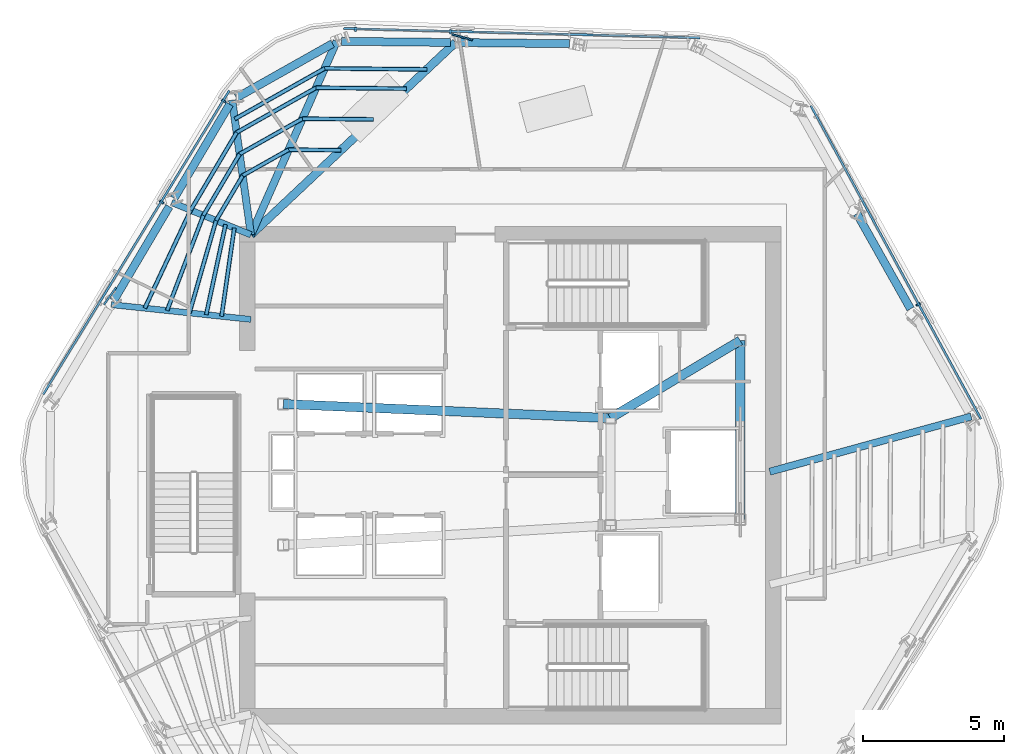
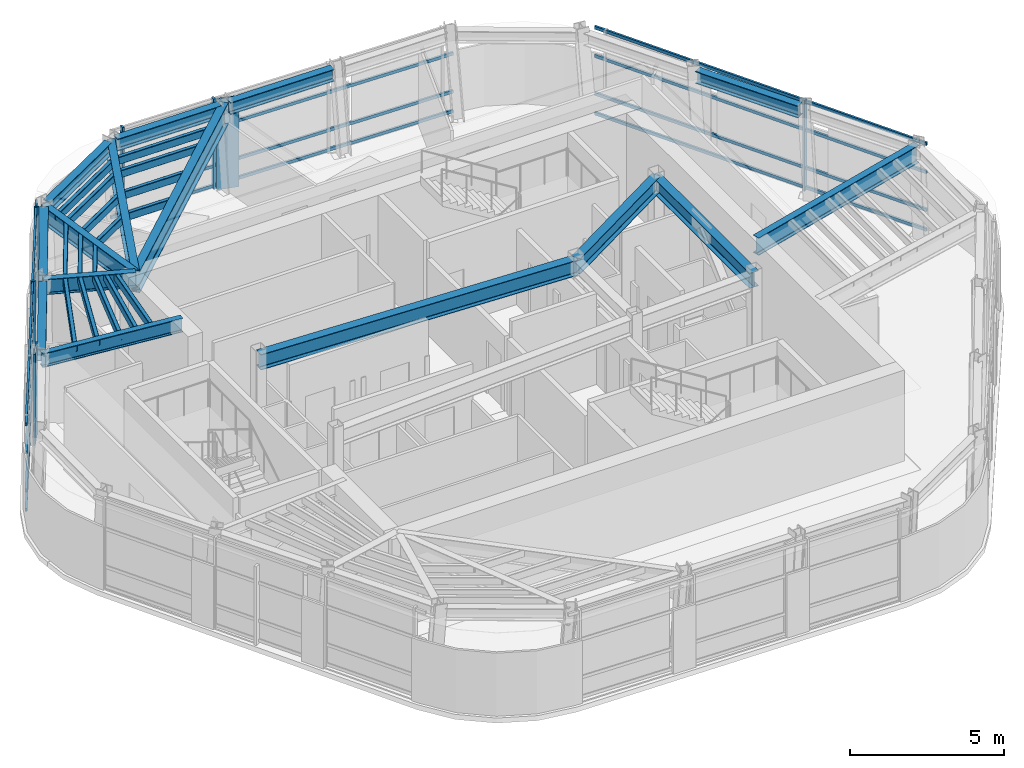
# One storey, part 4 of 13: 34 members, 15 beams, 3 elements without a shape of their own.
"""IFC4 building model written with IfcOpenShell, lengths in metres."""

from ifc_helpers import new_model, si_unit, direction, frame, origin, origin_2d, place, context, subcontext, project, spatial, rectangle, hollow_rectangle, i_section, extrude, material, layer, layer_set, material_profile, profile_set, type_object, element, aggregate, save


model = new_model("IFC4")

# Units and contexts
model_context = context("Model", 3, precision=1e-05, world=origin(), true_north=direction((0.0, 1.0)))
body_context = subcontext(model_context, "Body", "Model", "MODEL_VIEW")
ifc_project = project(units=[si_unit("LENGTHUNIT", "METRE"), si_unit("AREAUNIT", "SQUARE_METRE"), si_unit("VOLUMEUNIT", "CUBIC_METRE"), si_unit("PLANEANGLEUNIT", "RADIAN"), si_unit("MASSUNIT", "GRAM", prefix="KILO")], contexts=[model_context])

# Site, building, storey
site_placement = place(None, origin())
site = spatial("IfcSite", under=ifc_project, at=site_placement, CompositionType="ELEMENT")
building_placement = place(site_placement, origin())
building = spatial("IfcBuilding", under=site, at=building_placement, Name="Valkerne Bourse Tower", CompositionType="ELEMENT")
storey_placement = place(building_placement, frame((0.0, 0.0, 277.39990234375)))
storey = spatial("IfcBuildingStorey", under=building, at=storey_placement, Name="L70", CompositionType="ELEMENT", Elevation=277.39990234375)

# Beams
ifc_material_1 = material(Name="Steel ASTM A992", Category="steel")
ifc_material_profile_1 = material_profile(ifc_material_1, i_section(OverallWidth=0.284423828125, OverallDepth=0.47509765625, WebThickness=0.014892578125, FlangeThickness=0.02392578125, FilletRadius=0.017822265625, at=origin_2d()), Name="W18X106")
ifc_profile_set_1 = profile_set([ifc_material_profile_1], Name="Steel ASTM A992")
beam_type_1 = type_object("IfcBeamType", Name="BM-W18X106", PredefinedType="BEAM", material=ifc_profile_set_1)
for number, where, z_axis, x_axis, name in (
    (1, (48.89501953125, 42.177734375, 3.362548828125), (-0.999945222918, 0.01046666921, 0.0), (-0.01046666921, -0.999945222918, 0.0), "L70 Hexagonal Spandrel Ring Beam 01"),
    (2, (44.683349609375, 42.2216796875, 3.362548828125), (-0.999945222918, 0.01046666921, 0.0), (-0.01046666921, -0.999945222918, 0.0), "L70 Hexagonal Spandrel Ring Beam 02"),
):
    element("IfcBeam", number, at=place(storey_placement, frame(where, z_axis=z_axis, x_axis=x_axis)), inside=storey, type_object=beam_type_1, Name=name, PredefinedType="BEAM", context=body_context, shape_type="SweptSolid", body=[
        extrude(i_section(OverallWidth=0.284423828125, OverallDepth=0.47509765625, WebThickness=0.014892578125, FlangeThickness=0.02392578125, FilletRadius=0.017822265625, at=origin_2d()), origin(), (0.0, 0.0, 1.0), 3.8720703125),
    ])
beam_1_placement = place(storey_placement, frame((40.493408203125, 42.1806640625, 3.362548828125), z_axis=(-0.871223967143, -0.490885729143, 0.0), x_axis=(0.490885729143, -0.871223967143, 0.0)))
element("IfcBeam", 3, at=beam_1_placement, inside=storey, type_object=beam_type_1, Name="L70 Hexagonal Spandrel Ring Beam 03", PredefinedType="BEAM", context=body_context, shape_type="SweptSolid", body=[
    extrude(i_section(OverallWidth=0.284423828125, OverallDepth=0.47509765625, WebThickness=0.014892578125, FlangeThickness=0.02392578125, FilletRadius=0.017822265625, at=origin_2d()), origin(), (0.0, 0.0, 1.0), 3.91552734375),
])
beam_2_placement = place(storey_placement, frame((36.847412109375, 40.02880859375, 3.362548828125), z_axis=(-0.50905214555, -0.860735681328, 0.0), x_axis=(0.860735681328, -0.50905214555, 0.0)))
element("IfcBeam", 4, at=beam_2_placement, inside=storey, type_object=beam_type_1, Name="L70 Hexagonal Spandrel Ring Beam 04", PredefinedType="BEAM", context=body_context, shape_type="SweptSolid", body=[
    extrude(i_section(OverallWidth=0.284423828125, OverallDepth=0.47509765625, WebThickness=0.014892578125, FlangeThickness=0.02392578125, FilletRadius=0.017822265625, at=origin_2d()), origin(), (0.0, 0.0, 1.0), 3.872314453125),
])
beam_3_placement = place(storey_placement, frame((34.703369140625, 36.4033203125, 3.362548828125), z_axis=(-0.509005432949, -0.860763306158, 0.0), x_axis=(0.860763306158, -0.509005432949, 0.0)))
element("IfcBeam", 5, at=beam_3_placement, inside=storey, type_object=beam_type_1, Name="L70 Hexagonal Spandrel Ring Beam 05", PredefinedType="BEAM", context=body_context, shape_type="SweptSolid", body=[
    extrude(i_section(OverallWidth=0.284423828125, OverallDepth=0.47509765625, WebThickness=0.014892578125, FlangeThickness=0.02392578125, FilletRadius=0.017822265625, at=origin_2d()), origin(), (0.0, 0.0, 1.0), 3.8720703125),
])
beam_4_placement = place(storey_placement, frame((60.99169921875, 32.7744140625, 3.362548828125), z_axis=(-0.490880810531, 0.871226738486, 0.0), x_axis=(-0.871226738486, -0.490880810531, 0.0)))
element("IfcBeam", 6, at=beam_4_placement, inside=storey, type_object=beam_type_1, Name="L70 Hexagonal Spandrel Ring Beam 21", PredefinedType="BEAM", context=body_context, shape_type="SweptSolid", body=[
    extrude(i_section(OverallWidth=0.284423828125, OverallDepth=0.47509765625, WebThickness=0.014892578125, FlangeThickness=0.02392578125, FilletRadius=0.017822265625, at=origin_2d()), origin(), (0.0, 0.0, 1.0), 3.871826171875),
])
ifc_material_profile_2 = material_profile(ifc_material_1, i_section(OverallWidth=0.2138671875, OverallDepth=0.548583984375, WebThickness=0.0146484375, FlangeThickness=0.023681640625, FilletRadius=0.017822265625, at=origin_2d()), Name="W21X93")
ifc_profile_set_2 = profile_set([ifc_material_profile_2], Name="Steel ASTM A992")
beam_type_2 = type_object("IfcBeamType", Name="BM-W21X93", PredefinedType="BEAM", material=ifc_profile_set_2)
beam_5_placement = place(storey_placement, frame((32.645751953125, 32.924072265625, 3.32568359375), z_axis=(0.994449729472, -0.105212810781, 0.0), x_axis=(0.105212810781, 0.994449729472, 0.0)))
element("IfcBeam", 7, at=beam_5_placement, inside=storey, type_object=beam_type_2, Name="L70 Radial Composite Floor Beam 06", PredefinedType="BEAM", context=body_context, shape_type="SweptSolid", body=[
    extrude(i_section(OverallWidth=0.2138671875, OverallDepth=0.548583984375, WebThickness=0.0146484375, FlangeThickness=0.023681640625, FilletRadius=0.017822265625, at=origin_2d()), origin(), (0.0, 0.0, 1.0), 4.98193359375),
])
ifc_material_profile_3 = material_profile(ifc_material_1, i_section(OverallWidth=0.3251953125, OverallDepth=0.612060546875, WebThickness=0.0126953125, FlangeThickness=0.01904296875, FilletRadius=0.020263671875, at=origin_2d()), Name="W24X104")
ifc_profile_set_3 = profile_set([ifc_material_profile_3], Name="Steel ASTM A992")
beam_type_3 = type_object("IfcBeamType", Name="BM-W24X104", PredefinedType="BEAM", material=ifc_profile_set_3)
beam_6_placement = place(storey_placement, frame((50.35009765625, 28.89990234375, 3.2939453125), z_axis=(0.858307823492, 0.513135148019, 0.0), x_axis=(-0.513135148019, 0.858307823492, 0.0)))
element("IfcBeam", 8, at=beam_6_placement, inside=storey, type_object=beam_type_3, Name="L70 Core Frame Girder CG-NE", PredefinedType="BEAM", context=body_context, shape_type="SweptSolid", body=[
    extrude(i_section(OverallWidth=0.3251953125, OverallDepth=0.612060546875, WebThickness=0.0126953125, FlangeThickness=0.01904296875, FilletRadius=0.020263671875, at=origin_2d()), origin(), (0.0, 0.0, 1.0), 5.359130859375),
])
beam_7_placement = place(storey_placement, frame((54.949951171875, 25.300048828125, 3.2939453125), z_axis=(0.0, 1.0, 0.0), x_axis=(-1.0, 0.0, 0.0)))
element("IfcBeam", 9, at=beam_7_placement, inside=storey, type_object=beam_type_3, Name="L70 Core Frame Girder CG-EE", PredefinedType="BEAM", context=body_context, shape_type="SweptSolid", body=[
    extrude(i_section(OverallWidth=0.3251953125, OverallDepth=0.612060546875, WebThickness=0.0126953125, FlangeThickness=0.01904296875, FilletRadius=0.020263671875, at=origin_2d()), origin(), (0.0, 0.0, 1.0), 6.349853515625),
])
beam_8_placement = place(storey_placement, frame((38.75, 29.39990234375, 3.2939453125), z_axis=(0.999072354402, -0.043063101019, 0.0), x_axis=(0.043063101019, 0.999072354402, 0.0)))
element("IfcBeam", 10, at=beam_8_placement, inside=storey, type_object=beam_type_3, Name="L70 Core Frame Girder CG-NW", PredefinedType="BEAM", context=body_context, shape_type="SweptSolid", body=[
    extrude(i_section(OverallWidth=0.3251953125, OverallDepth=0.612060546875, WebThickness=0.0126953125, FlangeThickness=0.01904296875, FilletRadius=0.020263671875, at=origin_2d()), origin(), (0.0, 0.0, 1.0), 11.61083984375),
])
ifc_material_profile_4 = material_profile(ifc_material_1, i_section(OverallWidth=0.228271484375, OverallDepth=0.607177734375, WebThickness=0.01123046875, FlangeThickness=0.017333984375, FilletRadius=0.017822265625, at=origin_2d()), Name="W24X76")
ifc_profile_set_4 = profile_set([ifc_material_profile_4], Name="Steel ASTM A992")
beam_type_4 = type_object("IfcBeamType", Name="BM-W24X76", PredefinedType="JOIST", material=ifc_profile_set_4)
beam_9_placement = place(storey_placement, frame((34.789794921875, 36.549560546875, 3.296630859375), z_axis=(0.925548236997, -0.378629714883, 0.0), x_axis=(0.378629714883, 0.925548236997, 0.0)))
element("IfcBeam", 11, at=beam_9_placement, inside=storey, type_object=beam_type_4, Name="L70 Radial Composite Floor Beam 05", PredefinedType="JOIST", context=body_context, shape_type="SweptSolid", body=[
    extrude(i_section(OverallWidth=0.228271484375, OverallDepth=0.607177734375, WebThickness=0.01123046875, FlangeThickness=0.017333984375, FilletRadius=0.017822265625, at=origin_2d()), origin(), (0.0, 0.0, 1.0), 3.036376953125),
])
ifc_material_profile_5 = material_profile(ifc_material_1, i_section(OverallWidth=0.255859375, OverallDepth=0.693359375, WebThickness=0.014404296875, FlangeThickness=0.023681640625, FilletRadius=0.02294921875, at=origin_2d()), Name="W27X114")
ifc_profile_set_5 = profile_set([ifc_material_profile_5], Name="Steel ASTM A992")
beam_type_5 = type_object("IfcBeamType", Name="BM-W27X114", PredefinedType="BEAM", material=ifc_profile_set_5)
beam_10_placement = place(storey_placement, frame((36.933837890625, 40.175048828125, 3.25341796875), z_axis=(0.13818794613, -0.99040602358, 0.0), x_axis=(0.99040602358, 0.13818794613, 0.0)))
element("IfcBeam", 12, at=beam_10_placement, inside=storey, type_object=beam_type_5, Name="L70 Radial Composite Floor Beam 04", PredefinedType="BEAM", context=body_context, shape_type="SweptSolid", body=[
    extrude(i_section(OverallWidth=0.255859375, OverallDepth=0.693359375, WebThickness=0.014404296875, FlangeThickness=0.023681640625, FilletRadius=0.02294921875, at=origin_2d()), origin(), (0.0, 0.0, 1.0), 4.8212890625),
])
beam_11_placement = place(storey_placement, frame((63.142822265625, 28.956787109375, 3.25341796875), z_axis=(-0.964463465339, -0.26421624482, 0.0), x_axis=(0.26421624482, -0.964463465339, 0.0)))
element("IfcBeam", 13, at=beam_11_placement, inside=storey, type_object=beam_type_5, Name="L70 Radial Composite Floor Beam 20", PredefinedType="BEAM", context=body_context, shape_type="SweptSolid", body=[
    extrude(i_section(OverallWidth=0.255859375, OverallDepth=0.693359375, WebThickness=0.014404296875, FlangeThickness=0.023681640625, FilletRadius=0.02294921875, at=origin_2d()), origin(), (0.0, 0.0, 1.0), 7.406005859375),
])
ifc_material_profile_6 = material_profile(ifc_material_1, i_section(OverallWidth=0.26806640625, OverallDepth=0.76953125, WebThickness=0.015625, FlangeThickness=0.025390625, FilletRadius=0.025390625, at=origin_2d()), Name="W30X132")
ifc_profile_set_6 = profile_set([ifc_material_profile_6], Name="Steel ASTM A992")
beam_type_6 = type_object("IfcBeamType", Name="BM-W30X132", PredefinedType="BEAM", material=ifc_profile_set_6)
beam_12_placement = place(storey_placement, frame((40.6416015625, 42.26416015625, 3.21533203125), z_axis=(-0.405106354658, -0.91426956715, 0.0), x_axis=(0.91426956715, -0.405106354658, 0.0)))
element("IfcBeam", 14, at=beam_12_placement, inside=storey, type_object=beam_type_6, Name="L70 Radial Composite Floor Beam 03", PredefinedType="BEAM", context=body_context, shape_type="SweptSolid", body=[
    extrude(i_section(OverallWidth=0.26806640625, OverallDepth=0.76953125, WebThickness=0.015625, FlangeThickness=0.025390625, FilletRadius=0.025390625, at=origin_2d()), origin(), (0.0, 0.0, 1.0), 7.5078125),
])
ifc_material_profile_7 = material_profile(ifc_material_1, i_section(OverallWidth=0.2919921875, OverallDepth=0.8583984375, WebThickness=0.01708984375, FlangeThickness=0.031005859375, FilletRadius=0.025390625, at=origin_2d()), Name="W33X169")
ifc_profile_set_7 = profile_set([ifc_material_profile_7], Name="Steel ASTM A992")
beam_type_7 = type_object("IfcBeamType", Name="BM-W33X169", PredefinedType="BEAM", material=ifc_profile_set_7)
beam_13_placement = place(storey_placement, frame((44.853271484375, 42.219970703125, 3.1708984375), z_axis=(-0.728523151739, -0.685021180242, 0.0), x_axis=(0.685021180242, -0.728523151739, 0.0)))
element("IfcBeam", 15, at=beam_13_placement, inside=storey, type_object=beam_type_7, Name="L70 Radial Composite Floor Beam 02", PredefinedType="BEAM", context=body_context, shape_type="SweptSolid", body=[
    extrude(i_section(OverallWidth=0.2919921875, OverallDepth=0.8583984375, WebThickness=0.01708984375, FlangeThickness=0.031005859375, FilletRadius=0.025390625, at=origin_2d()), origin(), (0.0, 0.0, 1.0), 9.9560546875),
])

# Curtain wall, members
ifc_material_2 = material(Name="Aluminium AA 6063-T6", Category="aluminium")
ifc_layer = layer(ifc_material_2, 0.2451171875)
ifc_layer_set = layer_set([ifc_layer], Name="Aluminium AA 6063-T6")
curtain_wall_type = type_object("IfcCurtainWallType", Name="CW-05", PredefinedType="NOTDEFINED", material=ifc_layer_set)
curtain_wall_1_placement = place(storey_placement, origin())
curtain_wall_1 = element("IfcCurtainWall", 16, at=curtain_wall_1_placement, inside=storey, type_object=curtain_wall_type, Name="L70 Hexagonal Stick Curtain Wall Face 1", PredefinedType="NOTDEFINED")
ifc_material_profile_8 = material_profile(ifc_material_2, rectangle(XDim=0.074951171875, YDim=0.159912109375, at=origin_2d()), Name="CWM-75X160")
ifc_profile_set_8 = profile_set([ifc_material_profile_8], Name="Aluminium AA 6063-T6")
member_type_1 = type_object("IfcMemberType", Name="CW-MUL-160X75", PredefinedType="MULLION", material=ifc_profile_set_8)
member_1_placement = place(storey_placement, frame((44.681640625, 42.599609375, 0.0), z_axis=(0.0, 0.0, 1.0), x_axis=(-0.999657687956, 0.026163082979, 0.0)))
member_1 = element("IfcMember", 17, at=member_1_placement, type_object=member_type_1, Name="CW-L70-F1 Jamb Mullion 02A", PredefinedType="MULLION", context=body_context, shape_type="SweptSolid", body=[
    extrude(rectangle(XDim=0.074951171875, YDim=0.159912109375, at=origin_2d()), origin(), (0.0, 0.0, 1.0), 3.60009765625),
])
member_2_placement = place(storey_placement, frame((41.310791015625, 42.687744140625, 0.0), z_axis=(0.0, 0.0, 1.0), x_axis=(-0.999657687956, 0.026163082979, 0.0)))
member_2 = element("IfcMember", 18, at=member_2_placement, type_object=member_type_1, Name="CW-L70-F1 Jamb Mullion 02B", PredefinedType="MULLION", context=body_context, shape_type="SweptSolid", body=[
    extrude(rectangle(XDim=0.074951171875, YDim=0.159912109375, at=origin_2d()), origin(), (0.0, 0.0, 1.0), 3.60009765625),
])

curtain_wall_2_placement = place(storey_placement, origin())
curtain_wall_2 = element("IfcCurtainWall", 19, at=curtain_wall_2_placement, inside=storey, type_object=curtain_wall_type, Name="L70 Hexagonal Stick Curtain Wall Face 2", PredefinedType="NOTDEFINED")
member_3_placement = place(storey_placement, frame((36.6328125, 40.147705078125, 0.0), z_axis=(0.0, 0.0, 1.0), x_axis=(-0.522506940942, -0.852635031339, 0.0)))
member_3 = element("IfcMember", 20, at=member_3_placement, type_object=member_type_1, Name="CW-L70-F2 Jamb Mullion 00A", PredefinedType="MULLION", context=body_context, shape_type="SweptSolid", body=[
    extrude(rectangle(XDim=0.074951171875, YDim=0.159912109375, at=origin_2d()), origin(), (0.0, 0.0, 1.0), 3.60009765625),
])
member_4_placement = place(storey_placement, frame((34.431884765625, 36.556396484375, 0.0), z_axis=(0.0, 0.0, 1.0), x_axis=(-0.522489680728, -0.852645608405, 0.0)))
member_4 = element("IfcMember", 21, at=member_4_placement, type_object=member_type_1, Name="CW-L70-F2 Jamb Mullion 01A", PredefinedType="MULLION", context=body_context, shape_type="SweptSolid", body=[
    extrude(rectangle(XDim=0.074951171875, YDim=0.159912109375, at=origin_2d()), origin(), (0.0, 0.0, 1.0), 3.60009765625),
])

# Curtain wall, member
curtain_wall_3_placement = place(storey_placement, origin())
curtain_wall_3 = element("IfcCurtainWall", 22, at=curtain_wall_3_placement, inside=storey, type_object=curtain_wall_type, Name="L70 Hexagonal Stick Curtain Wall Face 6", PredefinedType="NOTDEFINED")
member_5_placement = place(storey_placement, frame((61.26025390625, 32.9326171875, 0.0), z_axis=(0.0, 0.0, 1.0), x_axis=(-0.477157876868, 0.878817592304, 0.0)))
member_5 = element("IfcMember", 23, at=member_5_placement, type_object=member_type_1, Name="CW-L70-F6 Jamb Mullion 01A", PredefinedType="MULLION", context=body_context, shape_type="SweptSolid", body=[
    extrude(rectangle(XDim=0.074951171875, YDim=0.159912109375, at=origin_2d()), origin(), (0.0, 0.0, 1.0), 3.60009765625),
])

# Member
ifc_material_profile_9 = material_profile(ifc_material_2, rectangle(XDim=0.074951171875, YDim=0.1201171875, at=origin_2d()), Name="CWT-75X120")
ifc_profile_set_9 = profile_set([ifc_material_profile_9], Name="Aluminium AA 6063-T6")
member_type_2 = type_object("IfcMemberType", Name="CW-TRN-120X75", PredefinedType="USERDEFINED", material=ifc_profile_set_9)
member_6_placement = place(storey_placement, frame((53.523193359375, 42.38818359375, 0.1201171875), z_axis=(-0.99965775943, 0.02616035188, 0.0), x_axis=(-0.02616035188, -0.99965775943, 0.0)))
member_6 = element("IfcMember", 24, at=member_6_placement, type_object=member_type_2, Name="CW-L70-F1 Continuous Face Transom 1", ObjectType="TRANSOM", PredefinedType="USERDEFINED", context=body_context, shape_type="SweptSolid", body=[
    extrude(rectangle(XDim=0.074951171875, YDim=0.1201171875, at=origin_2d()), origin(), (0.0, 0.0, 1.0), 12.63623046875),
])

member_7_placement = place(storey_placement, frame((53.523193359375, 42.38818359375, 0.900146484375), z_axis=(-0.99965775943, 0.02616035188, 0.0), x_axis=(-0.02616035188, -0.99965775943, 0.0)))
member_7 = element("IfcMember", 25, at=member_7_placement, type_object=member_type_2, Name="CW-L70-F1 Continuous Face Transom 2", ObjectType="TRANSOM", PredefinedType="USERDEFINED", context=body_context, shape_type="SweptSolid", body=[
    extrude(rectangle(XDim=0.074951171875, YDim=0.1201171875, at=origin_2d()), origin(), (0.0, 0.0, 1.0), 12.63623046875),
])

member_8_placement = place(storey_placement, frame((53.523193359375, 42.38818359375, 2.400146484375), z_axis=(-0.99965775943, 0.02616035188, 0.0), x_axis=(-0.02616035188, -0.99965775943, 0.0)))
member_8 = element("IfcMember", 26, at=member_8_placement, type_object=member_type_2, Name="CW-L70-F1 Continuous Face Transom 3", ObjectType="TRANSOM", PredefinedType="USERDEFINED", context=body_context, shape_type="SweptSolid", body=[
    extrude(rectangle(XDim=0.074951171875, YDim=0.1201171875, at=origin_2d()), origin(), (0.0, 0.0, 1.0), 12.63623046875),
])

aggregate(curtain_wall_1, [member_6, member_7, member_8, member_1, member_2])

member_9_placement = place(storey_placement, frame((36.835205078125, 40.516357421875, 0.1201171875), z_axis=(-0.522499986477, -0.852639293096, 0.0), x_axis=(0.852639293096, -0.522499986477, 0.0)))
member_9 = element("IfcMember", 27, at=member_9_placement, type_object=member_type_2, Name="CW-L70-F2 Continuous Face Transom 1", ObjectType="TRANSOM", PredefinedType="USERDEFINED", context=body_context, shape_type="SweptSolid", body=[
    extrude(rectangle(XDim=0.074951171875, YDim=0.1201171875, at=origin_2d()), origin(), (0.0, 0.0, 1.0), 12.635986328125),
])

member_10_placement = place(storey_placement, frame((36.835205078125, 40.516357421875, 0.900146484375), z_axis=(-0.522499986477, -0.852639293096, 0.0), x_axis=(0.852639293096, -0.522499986477, 0.0)))
member_10 = element("IfcMember", 28, at=member_10_placement, type_object=member_type_2, Name="CW-L70-F2 Continuous Face Transom 2", ObjectType="TRANSOM", PredefinedType="USERDEFINED", context=body_context, shape_type="SweptSolid", body=[
    extrude(rectangle(XDim=0.074951171875, YDim=0.1201171875, at=origin_2d()), origin(), (0.0, 0.0, 1.0), 12.635986328125),
])

member_11_placement = place(storey_placement, frame((36.835205078125, 40.516357421875, 2.400146484375), z_axis=(-0.522499986477, -0.852639293096, 0.0), x_axis=(0.852639293096, -0.522499986477, 0.0)))
member_11 = element("IfcMember", 29, at=member_11_placement, type_object=member_type_2, Name="CW-L70-F2 Continuous Face Transom 3", ObjectType="TRANSOM", PredefinedType="USERDEFINED", context=body_context, shape_type="SweptSolid", body=[
    extrude(rectangle(XDim=0.074951171875, YDim=0.1201171875, at=origin_2d()), origin(), (0.0, 0.0, 1.0), 12.635986328125),
])

member_12_placement = place(storey_placement, frame((36.835205078125, 40.516357421875, 3.52001953125), z_axis=(-0.522499986477, -0.852639293096, 0.0), x_axis=(0.852639293096, -0.522499986477, 0.0)))
member_12 = element("IfcMember", 30, at=member_12_placement, type_object=member_type_2, Name="CW-L70-F2 Continuous Face Transom 4", ObjectType="TRANSOM", PredefinedType="USERDEFINED", context=body_context, shape_type="SweptSolid", body=[
    extrude(rectangle(XDim=0.074951171875, YDim=0.1201171875, at=origin_2d()), origin(), (0.0, 0.0, 1.0), 12.635986328125),
])

aggregate(curtain_wall_2, [member_9, member_10, member_11, member_12, member_3, member_4])

member_13_placement = place(storey_placement, frame((63.488037109375, 28.87158203125, 0.1201171875), z_axis=(-0.477168608725, 0.87881176531, 0.0), x_axis=(-0.87881176531, -0.477168608725, 0.0)))
member_13 = element("IfcMember", 31, at=member_13_placement, type_object=member_type_2, Name="CW-L70-F6 Continuous Face Transom 1", ObjectType="TRANSOM", PredefinedType="USERDEFINED", context=body_context, shape_type="SweptSolid", body=[
    extrude(rectangle(XDim=0.074951171875, YDim=0.1201171875, at=origin_2d()), origin(), (0.0, 0.0, 1.0), 12.635986328125),
])

member_14_placement = place(storey_placement, frame((63.488037109375, 28.87158203125, 0.900146484375), z_axis=(-0.477168608725, 0.87881176531, 0.0), x_axis=(-0.87881176531, -0.477168608725, 0.0)))
member_14 = element("IfcMember", 32, at=member_14_placement, type_object=member_type_2, Name="CW-L70-F6 Continuous Face Transom 2", ObjectType="TRANSOM", PredefinedType="USERDEFINED", context=body_context, shape_type="SweptSolid", body=[
    extrude(rectangle(XDim=0.074951171875, YDim=0.1201171875, at=origin_2d()), origin(), (0.0, 0.0, 1.0), 12.635986328125),
])

member_15_placement = place(storey_placement, frame((63.488037109375, 28.87158203125, 2.400146484375), z_axis=(-0.477168608725, 0.87881176531, 0.0), x_axis=(-0.87881176531, -0.477168608725, 0.0)))
member_15 = element("IfcMember", 33, at=member_15_placement, type_object=member_type_2, Name="CW-L70-F6 Continuous Face Transom 3", ObjectType="TRANSOM", PredefinedType="USERDEFINED", context=body_context, shape_type="SweptSolid", body=[
    extrude(rectangle(XDim=0.074951171875, YDim=0.1201171875, at=origin_2d()), origin(), (0.0, 0.0, 1.0), 12.635986328125),
])

member_16_placement = place(storey_placement, frame((63.488037109375, 28.87158203125, 3.52001953125), z_axis=(-0.477168608725, 0.87881176531, 0.0), x_axis=(-0.87881176531, -0.477168608725, 0.0)))
member_16 = element("IfcMember", 34, at=member_16_placement, type_object=member_type_2, Name="CW-L70-F6 Continuous Face Transom 4", ObjectType="TRANSOM", PredefinedType="USERDEFINED", context=body_context, shape_type="SweptSolid", body=[
    extrude(rectangle(XDim=0.074951171875, YDim=0.1201171875, at=origin_2d()), origin(), (0.0, 0.0, 1.0), 12.635986328125),
])

aggregate(curtain_wall_3, [member_13, member_14, member_15, member_16, member_5])

# Members
ifc_material_3 = material(Name="Bronze Anodised Aluminium AA 6063-T6", Category="aluminium")
ifc_material_profile_10 = material_profile(ifc_material_3, rectangle(XDim=0.06494140625, YDim=0.75, at=origin_2d()), Name="FIN-65X750")
ifc_profile_set_10 = profile_set([ifc_material_profile_10], Name="Bronze Anodised Aluminium AA 6063-T6")
member_type_3 = type_object("IfcMemberType", Name="FIN-SOLAR-650", PredefinedType="USERDEFINED", material=ifc_profile_set_10)
for number, where, z_axis, x_axis, name in (
    (35, (45.0966796875, 42.40869140625, 0.004150390625), (0.0, 0.0, 1.0), (0.260712420685, 0.965416507887, 0.0), "L70 Bronze Anodised Solar Fin F1-02"),
    (36, (32.604248046875, 33.229248046875, 0.004150390625), (0.0, 0.0, 1.0), (-0.814358364079, 0.580362347896, 0.0), "L70 Bronze Anodised Solar Fin F2-02"),
):
    element("IfcMember", number, at=place(storey_placement, frame(where, z_axis=z_axis, x_axis=x_axis)), inside=storey, type_object=member_type_3, Name=name, ObjectType="SOLAR_FIN", PredefinedType="USERDEFINED", context=body_context, shape_type="SweptSolid", body=[
        extrude(rectangle(XDim=0.06494140625, YDim=0.75, at=origin_2d()), origin(), (0.0, 0.0, 1.0), 3.592041015625),
    ])
ifc_material_4 = material(Name="Steel ASTM A500 Grade C", Category="steel")
ifc_material_profile_11 = material_profile(ifc_material_4, hollow_rectangle(XDim=0.14990234375, YDim=0.300048828125, WallThickness=0.012451171875, OuterFilletRadius=0.02490234375, at=origin_2d()), Name="HSS300X150X12.5")
ifc_profile_set_11 = profile_set([ifc_material_profile_11], Name="Steel ASTM A500 Grade C")
member_type_4 = type_object("IfcMemberType", Name="MBR-HSS300X150X12.5", PredefinedType="PURLIN", material=ifc_profile_set_11)
member_17_placement = place(storey_placement, frame((36.70068359375, 35.767822265625, 3.440185546875), z_axis=(-0.209610596159, -0.977784944647, 0.0), x_axis=(0.977784944647, -0.209610596159, 0.0)))
element("IfcMember", 37, at=member_17_placement, inside=storey, type_object=member_type_4, Name="L70 Secondary Composite Floor Purlin I-05", PredefinedType="PURLIN", context=body_context, shape_type="SweptSolid", body=[
    extrude(hollow_rectangle(XDim=0.14990234375, YDim=0.300048828125, WallThickness=0.012451171875, OuterFilletRadius=0.02490234375, at=origin_2d()), origin(), (0.0, 0.0, 1.0), 3.27294921875),
])
member_18_placement = place(storey_placement, frame((40.79150390625, 38.40087890625, 3.440185546875), z_axis=(-0.999945850939, 0.010406497461, 0.0), x_axis=(-0.010406497461, -0.999945850939, 0.0)))
element("IfcMember", 38, at=member_18_placement, inside=storey, type_object=member_type_4, Name="L70 Secondary Composite Floor Purlin K-02", PredefinedType="PURLIN", context=body_context, shape_type="SweptSolid", body=[
    extrude(hollow_rectangle(XDim=0.14990234375, YDim=0.300048828125, WallThickness=0.012451171875, OuterFilletRadius=0.02490234375, at=origin_2d()), origin(), (0.0, 0.0, 1.0), 1.853271484375),
])
member_19_placement = place(storey_placement, frame((38.938232421875, 38.420166015625, 3.440185546875), z_axis=(-0.871220140097, -0.490892521321, 0.0), x_axis=(0.490892521321, -0.871220140097, 0.0)))
element("IfcMember", 39, at=member_19_placement, inside=storey, type_object=member_type_4, Name="L70 Secondary Composite Floor Purlin K-03", PredefinedType="PURLIN", context=body_context, shape_type="SweptSolid", body=[
    extrude(hollow_rectangle(XDim=0.14990234375, YDim=0.300048828125, WallThickness=0.012451171875, OuterFilletRadius=0.02490234375, at=origin_2d()), origin(), (0.0, 0.0, 1.0), 1.87255859375),
])
member_20_placement = place(storey_placement, frame((37.306884765625, 37.5009765625, 3.440185546875), z_axis=(-0.509022205392, -0.860753387689, 0.0), x_axis=(0.860753387689, -0.509022205392, 0.0)))
element("IfcMember", 40, at=member_20_placement, inside=storey, type_object=member_type_4, Name="L70 Secondary Composite Floor Purlin K-04", PredefinedType="PURLIN", context=body_context, shape_type="SweptSolid", body=[
    extrude(hollow_rectangle(XDim=0.14990234375, YDim=0.300048828125, WallThickness=0.012451171875, OuterFilletRadius=0.02490234375, at=origin_2d()), origin(), (0.0, 0.0, 1.0), 1.853271484375),
])
member_21_placement = place(storey_placement, frame((36.363525390625, 35.90576171875, 3.440185546875), z_axis=(-0.276782933691, -0.960932467771, 0.0), x_axis=(0.960932467771, -0.276782933691, 0.0)))
element("IfcMember", 41, at=member_21_placement, inside=storey, type_object=member_type_4, Name="L70 Secondary Composite Floor Purlin K-05", PredefinedType="PURLIN", context=body_context, shape_type="SweptSolid", body=[
    extrude(hollow_rectangle(XDim=0.14990234375, YDim=0.300048828125, WallThickness=0.012451171875, OuterFilletRadius=0.02490234375, at=origin_2d()), origin(), (0.0, 0.0, 1.0), 3.408203125),
])
member_22_placement = place(storey_placement, frame((43.112548828125, 40.583251953125, 3.440185546875), z_axis=(-0.999945411151, 0.010448670683, 0.0), x_axis=(-0.010448670683, -0.999945411151, 0.0)))
element("IfcMember", 42, at=member_22_placement, inside=storey, type_object=member_type_4, Name="L70 Secondary Composite Floor Purlin O-02", PredefinedType="PURLIN", context=body_context, shape_type="SweptSolid", body=[
    extrude(hollow_rectangle(XDim=0.14990234375, YDim=0.300048828125, WallThickness=0.012451171875, OuterFilletRadius=0.02490234375, at=origin_2d()), origin(), (0.0, 0.0, 1.0), 3.201171875),
])
member_23_placement = place(storey_placement, frame((39.91162109375, 40.61669921875, 3.440185546875), z_axis=(-0.871232623806, -0.490870364981, 0.0), x_axis=(0.490870364981, -0.871232623806, 0.0)))
element("IfcMember", 43, at=member_23_placement, inside=storey, type_object=member_type_4, Name="L70 Secondary Composite Floor Purlin O-03", PredefinedType="PURLIN", context=body_context, shape_type="SweptSolid", body=[
    extrude(hollow_rectangle(XDim=0.14990234375, YDim=0.300048828125, WallThickness=0.012451171875, OuterFilletRadius=0.02490234375, at=origin_2d()), origin(), (0.0, 0.0, 1.0), 3.234375),
])
member_24_placement = place(storey_placement, frame((37.09375, 39.029052734375, 3.440185546875), z_axis=(-0.509068435542, -0.860726046971, 0.0), x_axis=(0.860726046971, -0.509068435542, 0.0)))
element("IfcMember", 44, at=member_24_placement, inside=storey, type_object=member_type_4, Name="L70 Secondary Composite Floor Purlin O-04", PredefinedType="PURLIN", context=body_context, shape_type="SweptSolid", body=[
    extrude(hollow_rectangle(XDim=0.14990234375, YDim=0.300048828125, WallThickness=0.012451171875, OuterFilletRadius=0.02490234375, at=origin_2d()), origin(), (0.0, 0.0, 1.0), 3.201171875),
])
member_25_placement = place(storey_placement, frame((35.464111328125, 36.273681640625, 3.440185546875), z_axis=(-0.424503948091, -0.905426086467, 0.0), x_axis=(0.905426086467, -0.424503948091, 0.0)))
element("IfcMember", 45, at=member_25_placement, inside=storey, type_object=member_type_4, Name="L70 Secondary Composite Floor Purlin O-05", PredefinedType="PURLIN", context=body_context, shape_type="SweptSolid", body=[
    extrude(hollow_rectangle(XDim=0.14990234375, YDim=0.300048828125, WallThickness=0.012451171875, OuterFilletRadius=0.02490234375, at=origin_2d()), origin(), (0.0, 0.0, 1.0), 3.83837890625),
])
member_26_placement = place(storey_placement, frame((41.951904296875, 39.491943359375, 3.440185546875), z_axis=(-0.999944560122, 0.010529799735, 0.0), x_axis=(-0.010529799735, -0.999944560122, 0.0)))
element("IfcMember", 46, at=member_26_placement, inside=storey, type_object=member_type_4, Name="L70 Secondary Composite Floor Purlin Z-02", PredefinedType="PURLIN", context=body_context, shape_type="SweptSolid", body=[
    extrude(hollow_rectangle(XDim=0.14990234375, YDim=0.300048828125, WallThickness=0.012451171875, OuterFilletRadius=0.02490234375, at=origin_2d()), origin(), (0.0, 0.0, 1.0), 2.52734375),
])
member_27_placement = place(storey_placement, frame((39.4248046875, 39.5185546875, 3.440185546875), z_axis=(-0.871187154811, -0.49095105794, 0.0), x_axis=(0.49095105794, -0.871187154811, 0.0)))
element("IfcMember", 47, at=member_27_placement, inside=storey, type_object=member_type_4, Name="L70 Secondary Composite Floor Purlin Z-03", PredefinedType="PURLIN", context=body_context, shape_type="SweptSolid", body=[
    extrude(hollow_rectangle(XDim=0.14990234375, YDim=0.300048828125, WallThickness=0.012451171875, OuterFilletRadius=0.02490234375, at=origin_2d()), origin(), (0.0, 0.0, 1.0), 2.553466796875),
])
member_28_placement = place(storey_placement, frame((37.2001953125, 38.264892578125, 3.440185546875), z_axis=(-0.509015698573, -0.860757235582, 0.0), x_axis=(0.860757235582, -0.509015698573, 0.0)))
element("IfcMember", 48, at=member_28_placement, inside=storey, type_object=member_type_4, Name="L70 Secondary Composite Floor Purlin Z-04", PredefinedType="PURLIN", context=body_context, shape_type="SweptSolid", body=[
    extrude(hollow_rectangle(XDim=0.14990234375, YDim=0.300048828125, WallThickness=0.012451171875, OuterFilletRadius=0.02490234375, at=origin_2d()), origin(), (0.0, 0.0, 1.0), 2.527099609375),
])
member_29_placement = place(storey_placement, frame((35.913818359375, 36.089599609375, 3.440185546875), z_axis=(-0.356155541457, -0.934426685348, 0.0), x_axis=(0.934426685348, -0.356155541457, 0.0)))
element("IfcMember", 49, at=member_29_placement, inside=storey, type_object=member_type_4, Name="L70 Secondary Composite Floor Purlin Z-05", PredefinedType="PURLIN", context=body_context, shape_type="SweptSolid", body=[
    extrude(hollow_rectangle(XDim=0.14990234375, YDim=0.300048828125, WallThickness=0.012451171875, OuterFilletRadius=0.02490234375, at=origin_2d()), origin(), (0.0, 0.0, 1.0), 3.61181640625),
])
member_30_placement = place(storey_placement, frame((37.010009765625, 35.641357421875, 3.440185546875), z_axis=(-0.142382856129, -0.989811660004, 0.0), x_axis=(0.989811660004, -0.142382856129, 0.0)))
element("IfcMember", 50, at=member_30_placement, inside=storey, type_object=member_type_4, Name="L70 Secondary Composite Floor Purlin S-05", PredefinedType="PURLIN", context=body_context, shape_type="SweptSolid", body=[
    extrude(hollow_rectangle(XDim=0.14990234375, YDim=0.300048828125, WallThickness=0.012451171875, OuterFilletRadius=0.02490234375, at=origin_2d()), origin(), (0.0, 0.0, 1.0), 3.16357421875),
])
member_31_placement = place(storey_placement, frame((43.837890625, 41.26513671875, 3.440185546875), z_axis=(-0.999945428712, 0.010446989852, 0.0), x_axis=(-0.010446989852, -0.999945428712, 0.0)))
element("IfcMember", 51, at=member_31_placement, inside=storey, type_object=member_type_4, Name="L70 Secondary Composite Floor Purlin T-02", PredefinedType="PURLIN", context=body_context, shape_type="SweptSolid", body=[
    extrude(hollow_rectangle(XDim=0.14990234375, YDim=0.300048828125, WallThickness=0.012451171875, OuterFilletRadius=0.02490234375, at=origin_2d()), origin(), (0.0, 0.0, 1.0), 3.622314453125),
])
member_32_placement = place(storey_placement, frame((40.2158203125, 41.302978515625, 3.440185546875), z_axis=(-0.871256466922, -0.490828044071, 0.0), x_axis=(0.490828044071, -0.871256466922, 0.0)))
element("IfcMember", 52, at=member_32_placement, inside=storey, type_object=member_type_4, Name="L70 Secondary Composite Floor Purlin T-03", PredefinedType="PURLIN", context=body_context, shape_type="SweptSolid", body=[
    extrude(hollow_rectangle(XDim=0.14990234375, YDim=0.300048828125, WallThickness=0.012451171875, OuterFilletRadius=0.02490234375, at=origin_2d()), origin(), (0.0, 0.0, 1.0), 3.659912109375),
])

save(model, "model.ifc")
